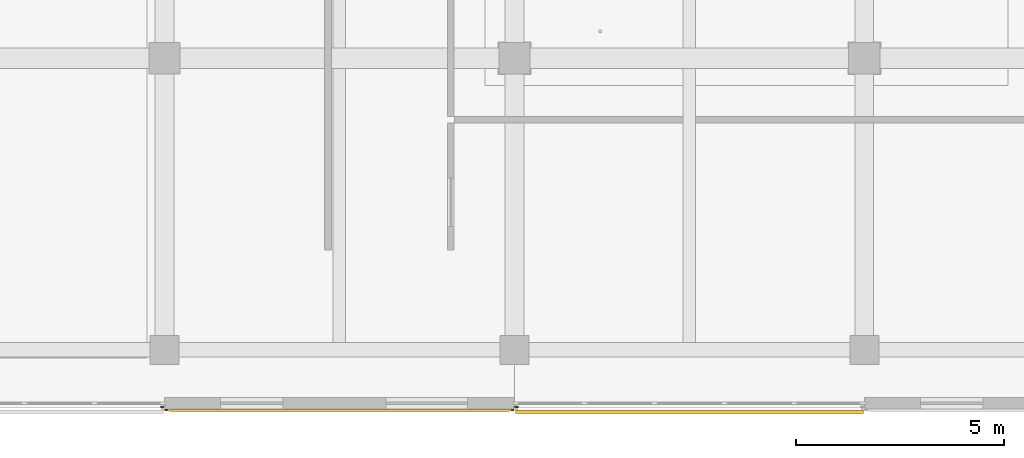
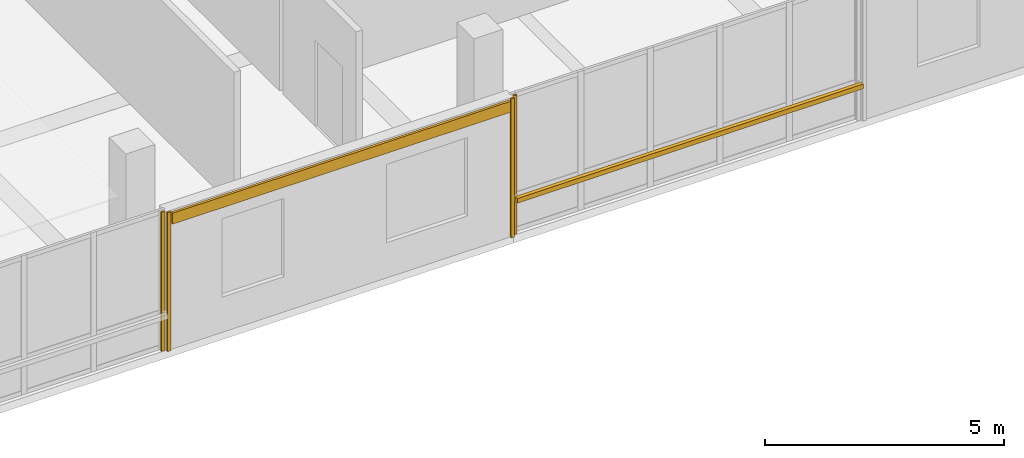
# One storey, part 25 of 35: 5 coverings, 1 shading device.
"""IFC4 building model written with IfcOpenShell, lengths in metres."""

from ifc_helpers import new_model, si_unit, direction, frame, origin, origin_2d, place, context, subcontext, project, spatial, rectangle, extrude, material, layer, layer_set, type_object, element, save


model = new_model("IFC4")

# Units and contexts
model_context = context("Model", 3, precision=1e-05, world=origin(), true_north=direction((0.0, 1.0)))
body_context = subcontext(model_context, "Body", "Model", "MODEL_VIEW")
ifc_project = project(units=[si_unit("LENGTHUNIT", "METRE"), si_unit("AREAUNIT", "SQUARE_METRE"), si_unit("VOLUMEUNIT", "CUBIC_METRE"), si_unit("PLANEANGLEUNIT", "RADIAN"), si_unit("MASSUNIT", "GRAM", prefix="KILO")], contexts=[model_context])

# Site, building, storey
site_placement = place(None, origin())
site = spatial("IfcSite", under=ifc_project, at=site_placement, CompositionType="ELEMENT")
building_placement = place(site_placement, origin())
building = spatial("IfcBuilding", under=site, at=building_placement, Name="Telukmera Botanical Conservatory", CompositionType="ELEMENT")
storey_placement = place(building_placement, frame((0.0, 0.0, 46.5)))
storey = spatial("IfcBuildingStorey", under=building, at=storey_placement, Name="L10", CompositionType="ELEMENT", Elevation=46.5)

# Coverings
ifc_material_1 = material(Name="Granite-faced precast concrete C40/50", Category="masonry")
ifc_layer_1 = layer(ifc_material_1, 0.0400390625)
ifc_layer_set_1 = layer_set([ifc_layer_1], Name="Granite-faced precast concrete C40/50")
covering_type_1 = type_object("IfcCoveringType", Name="Granite Precast Column Pier Reveal Casing", PredefinedType="CLADDING", material=ifc_layer_set_1)
for number, where, z_axis, x_axis, name in (
    (1, (67.14794921875, 9.22998046875, 0.0), (0.0, 0.0, 1.0), (1.0, 0.0, 0.0), "Granite Pier Reveal V4:L10:S2 R"),
    (2, (67.251953125, 9.159912109375, 0.0), (0.0, 0.0, 1.0), (1.0, 0.0, 0.0), "Granite Pier Reveal V4:L10:S3 L"),
    (3, (75.548095703125, 9.159912109375, 0.0), (0.0, 0.0, 1.0), (1.0, 0.0, 0.0), "Granite Pier Reveal V4:L10:S3 R"),
    (4, (75.652099609375, 9.22998046875, 0.0), (0.0, 0.0, 1.0), (1.0, 0.0, 0.0), "Granite Pier Reveal V4:L10:S4 L"),
):
    element("IfcCovering", number, at=place(storey_placement, frame(where, z_axis=z_axis, x_axis=x_axis)), inside=storey, type_object=covering_type_1, Name=name, PredefinedType="CLADDING", context=body_context, shape_type="SweptSolid", body=[
        extrude(rectangle(XDim=0.080078125, YDim=0.0400390625, at=origin_2d()), origin(), (0.0, 0.0, 1.0), 3.550048828125),
    ])

# Shading device
ifc_material_2 = material(Name="Perforated terracotta-anodised aluminium 6063-T6", Category="masonry")
ifc_layer_2 = layer(ifc_material_2, 0.044921875)
ifc_layer_set_2 = layer_set([ifc_layer_2], Name="Perforated terracotta-anodised aluminium 6063-T6")
shading_device_type = type_object("IfcShadingDeviceType", Name="Perforated Terracotta Aluminium Monsoon Brise Soleil", PredefinedType="JALOUSIE", material=ifc_layer_set_2)
shading_device_placement = place(storey_placement, frame((79.800048828125, 9.114990234375, 0.889892578125), z_axis=(0.0, 0.0, 1.0), x_axis=(1.0, 0.0, 0.0)))
element("IfcShadingDevice", 5, at=shading_device_placement, inside=storey, type_object=shading_device_type, Name="Monsoon Shading BS01 V4:L10:S4", PredefinedType="JALOUSIE", context=body_context, shape_type="SweptSolid", body=[
    extrude(rectangle(XDim=8.35595703125, YDim=0.090087890625, at=origin_2d()), origin(), (0.0, 0.0, 1.0), 0.1201171875),
])

# Covering
ifc_material_3 = material(Name="Terracotta-faced precast concrete C40/50", Category="masonry")
ifc_layer_3 = layer(ifc_material_3, 0.06005859375)
ifc_layer_set_3 = layer_set([ifc_layer_3], Name="Terracotta-faced precast concrete C40/50")
covering_type_2 = type_object("IfcCoveringType", Name="Polychrome Terracotta Facade Band Cladding", PredefinedType="CLADDING", material=ifc_layer_set_3)
covering_placement = place(storey_placement, frame((71.39990234375, 9.14990234375, 3.22998046875), z_axis=(0.0, 0.0, 1.0), x_axis=(1.0, 0.0, 0.0)))
element("IfcCovering", 6, at=covering_placement, inside=storey, type_object=covering_type_2, Name="Polychrome Terracotta Band V4:L10:S3", PredefinedType="CLADDING", context=body_context, shape_type="SweptSolid", body=[
    extrude(rectangle(XDim=8.156005859375, YDim=0.06005859375, at=origin_2d()), origin(), (0.0, 0.0, 1.0), 0.280029296875),
])

save(model, "model.ifc")
